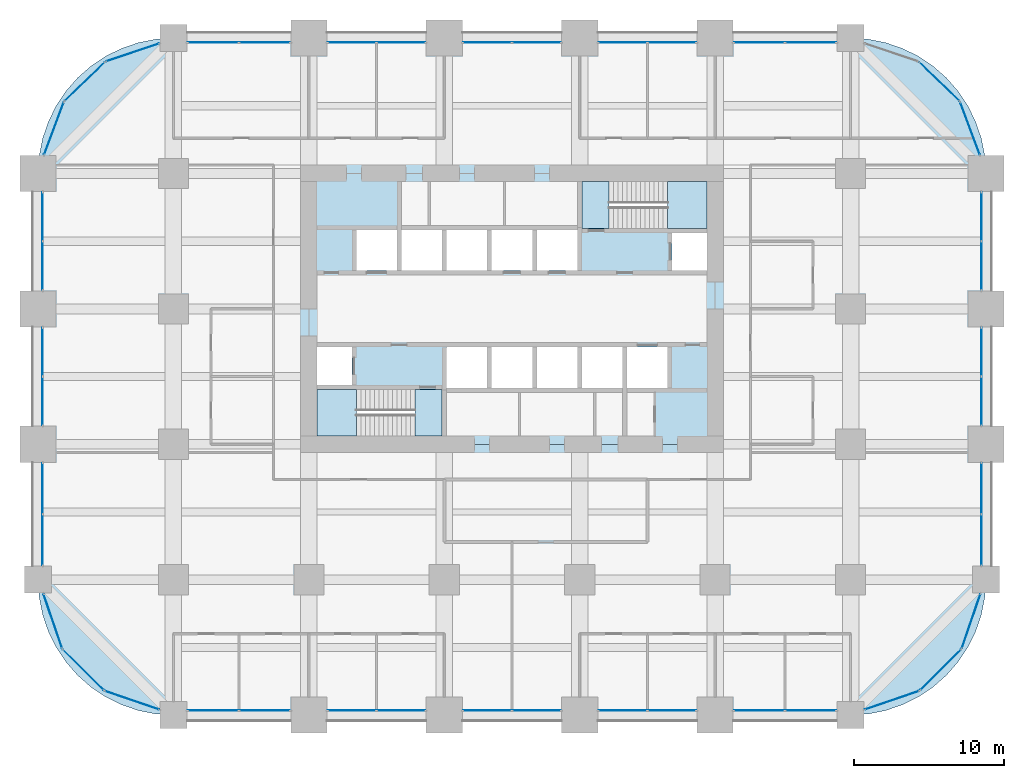
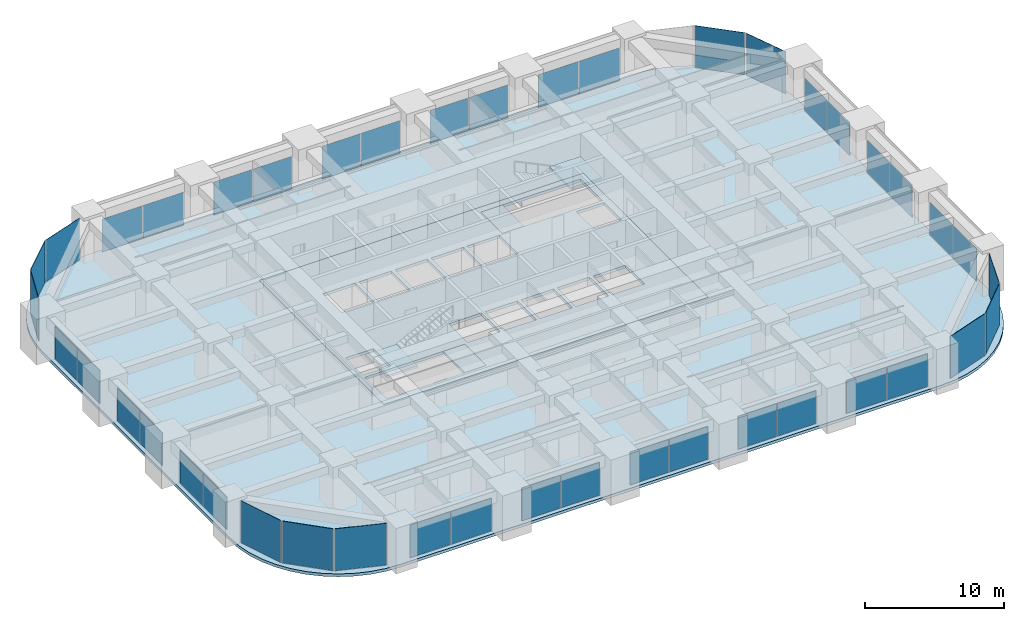
# One storey, part 35 of 41: 43 plates, 6 slabs, 29 elements without a shape of their own.
"""IFC4 building model written with IfcOpenShell, lengths in metres."""

from ifc_helpers import new_model, si_unit, direction, frame, origin, origin_2d, place, context, subcontext, project, spatial, polyline, rectangle, outline, extrude, material, layer, layer_set, type_object, element, aggregate, save


model = new_model("IFC4")

# Units and contexts
model_context = context("Model", 3, precision=1e-05, world=origin(), true_north=direction((0.0, 1.0)))
body_context = subcontext(model_context, "Body", "Model", "MODEL_VIEW")
ifc_project = project(units=[si_unit("LENGTHUNIT", "METRE"), si_unit("AREAUNIT", "SQUARE_METRE"), si_unit("VOLUMEUNIT", "CUBIC_METRE"), si_unit("PLANEANGLEUNIT", "RADIAN"), si_unit("MASSUNIT", "GRAM", prefix="KILO")], contexts=[model_context])

# Site, building, storey
site_placement = place(None, origin())
site = spatial("IfcSite", under=ifc_project, at=site_placement, CompositionType="ELEMENT")
building_placement = place(site_placement, origin())
building = spatial("IfcBuilding", under=site, at=building_placement, Name="Zorevar Civic Tower", CompositionType="ELEMENT")
storey_placement = place(building_placement, frame((0.0, 0.0, 105.0)))
storey = spatial("IfcBuildingStorey", under=building, at=storey_placement, Name="L25", CompositionType="ELEMENT", Elevation=105.0)

# Curtain wall, plates
ifc_material_1 = material(Name="Dark grey solar-control glass in black aluminium frame", Category="aluminium")
curtain_wall_type = type_object("IfcCurtainWallType", Name="Curtain wall CW3 mid zone", PredefinedType="NOTDEFINED", material=ifc_material_1)
curtain_wall_1_placement = place(storey_placement, origin())
curtain_wall_1 = element("IfcCurtainWall", 1, at=curtain_wall_1_placement, inside=storey, type_object=curtain_wall_type, Name="CW3 L25", PredefinedType="NOTDEFINED")
ifc_material_2 = material(Name="Dark grey solar-control glass", Category="glass")
ifc_layer_1 = layer(ifc_material_2, 0.030029296875)
ifc_layer_set_1 = layer_set([ifc_layer_1], Name="CW3 panel 30")
plate_type = type_object("IfcPlateType", Name="CW3 panel 30", PredefinedType="CURTAIN_PANEL", material=ifc_layer_set_1)
plate_1_placement = place(storey_placement, frame((11.639892578125, 0.300048828125, 0.06005859375), z_axis=(0.0, 0.0, 1.0), x_axis=(1.0, 0.0, 0.0)))
plate_1 = element("IfcPlate", 2, at=plate_1_placement, type_object=plate_type, Name="CW3 panel 1.1", PredefinedType="CURTAIN_PANEL", context=body_context, shape_type="SweptSolid", body=[
    extrude(rectangle(XDim=3.360107421875, YDim=0.030029296875, at=origin_2d()), origin(), (0.0, 0.0, 1.0), 2.889892578125),
])
plate_2_placement = place(storey_placement, frame((15.06005859375, 0.300048828125, 0.06005859375), z_axis=(0.0, 0.0, 1.0), x_axis=(1.0, 0.0, 0.0)))
plate_2 = element("IfcPlate", 3, at=plate_2_placement, type_object=plate_type, Name="CW3 panel 2.1", PredefinedType="CURTAIN_PANEL", context=body_context, shape_type="SweptSolid", body=[
    extrude(rectangle(XDim=3.360107421875, YDim=0.030029296875, at=origin_2d()), origin(), (0.0, 0.0, 1.0), 2.889892578125),
])
aggregate(curtain_wall_1, [plate_1, plate_2])

curtain_wall_2_placement = place(storey_placement, origin())
curtain_wall_2 = element("IfcCurtainWall", 4, at=curtain_wall_2_placement, inside=storey, type_object=curtain_wall_type, Name="CW3 L25", PredefinedType="NOTDEFINED")
plate_3_placement = place(storey_placement, frame((11.639892578125, 44.699951171875, 0.06005859375), z_axis=(0.0, 0.0, 1.0), x_axis=(1.0, 0.0, 0.0)))
plate_3 = element("IfcPlate", 5, at=plate_3_placement, type_object=plate_type, Name="CW3 panel 1.1", PredefinedType="CURTAIN_PANEL", context=body_context, shape_type="SweptSolid", body=[
    extrude(rectangle(XDim=3.360107421875, YDim=0.030029296875, at=origin_2d()), origin(), (0.0, 0.0, 1.0), 2.889892578125),
])
plate_4_placement = place(storey_placement, frame((15.06005859375, 44.699951171875, 0.06005859375), z_axis=(0.0, 0.0, 1.0), x_axis=(1.0, 0.0, 0.0)))
plate_4 = element("IfcPlate", 6, at=plate_4_placement, type_object=plate_type, Name="CW3 panel 2.1", PredefinedType="CURTAIN_PANEL", context=body_context, shape_type="SweptSolid", body=[
    extrude(rectangle(XDim=3.360107421875, YDim=0.030029296875, at=origin_2d()), origin(), (0.0, 0.0, 1.0), 2.889892578125),
])
aggregate(curtain_wall_2, [plate_3, plate_4])

curtain_wall_3_placement = place(storey_placement, origin())
curtain_wall_3 = element("IfcCurtainWall", 7, at=curtain_wall_3_placement, inside=storey, type_object=curtain_wall_type, Name="CW3 L25", PredefinedType="NOTDEFINED")
plate_5_placement = place(storey_placement, frame((20.864990234375, 0.300048828125, 0.06005859375), z_axis=(0.0, 0.0, 1.0), x_axis=(1.0, 0.0, 0.0)))
plate_5 = element("IfcPlate", 8, at=plate_5_placement, type_object=plate_type, Name="CW3 panel 1.1", PredefinedType="CURTAIN_PANEL", context=body_context, shape_type="SweptSolid", body=[
    extrude(rectangle(XDim=3.2099609375, YDim=0.030029296875, at=origin_2d()), origin(), (0.0, 0.0, 1.0), 2.889892578125),
])
plate_6_placement = place(storey_placement, frame((24.135009765625, 0.300048828125, 0.06005859375), z_axis=(0.0, 0.0, 1.0), x_axis=(1.0, 0.0, 0.0)))
plate_6 = element("IfcPlate", 9, at=plate_6_placement, type_object=plate_type, Name="CW3 panel 2.1", PredefinedType="CURTAIN_PANEL", context=body_context, shape_type="SweptSolid", body=[
    extrude(rectangle(XDim=3.2099609375, YDim=0.030029296875, at=origin_2d()), origin(), (0.0, 0.0, 1.0), 2.889892578125),
])
aggregate(curtain_wall_3, [plate_5, plate_6])

curtain_wall_4_placement = place(storey_placement, origin())
curtain_wall_4 = element("IfcCurtainWall", 10, at=curtain_wall_4_placement, inside=storey, type_object=curtain_wall_type, Name="CW3 L25", PredefinedType="NOTDEFINED")
plate_7_placement = place(storey_placement, frame((20.864990234375, 44.699951171875, 0.06005859375), z_axis=(0.0, 0.0, 1.0), x_axis=(1.0, 0.0, 0.0)))
plate_7 = element("IfcPlate", 11, at=plate_7_placement, type_object=plate_type, Name="CW3 panel 1.1", PredefinedType="CURTAIN_PANEL", context=body_context, shape_type="SweptSolid", body=[
    extrude(rectangle(XDim=3.2099609375, YDim=0.030029296875, at=origin_2d()), origin(), (0.0, 0.0, 1.0), 2.889892578125),
])
plate_8_placement = place(storey_placement, frame((24.135009765625, 44.699951171875, 0.06005859375), z_axis=(0.0, 0.0, 1.0), x_axis=(1.0, 0.0, 0.0)))
plate_8 = element("IfcPlate", 12, at=plate_8_placement, type_object=plate_type, Name="CW3 panel 2.1", PredefinedType="CURTAIN_PANEL", context=body_context, shape_type="SweptSolid", body=[
    extrude(rectangle(XDim=3.2099609375, YDim=0.030029296875, at=origin_2d()), origin(), (0.0, 0.0, 1.0), 2.889892578125),
])
aggregate(curtain_wall_4, [plate_7, plate_8])

curtain_wall_5_placement = place(storey_placement, origin())
curtain_wall_5 = element("IfcCurtainWall", 13, at=curtain_wall_5_placement, inside=storey, type_object=curtain_wall_type, Name="CW3 L25", PredefinedType="NOTDEFINED")
plate_9_placement = place(storey_placement, frame((29.864990234375, 0.300048828125, 0.06005859375), z_axis=(0.0, 0.0, 1.0), x_axis=(1.0, 0.0, 0.0)))
plate_9 = element("IfcPlate", 14, at=plate_9_placement, type_object=plate_type, Name="CW3 panel 1.1", PredefinedType="CURTAIN_PANEL", context=body_context, shape_type="SweptSolid", body=[
    extrude(rectangle(XDim=3.2099609375, YDim=0.030029296875, at=origin_2d()), origin(), (0.0, 0.0, 1.0), 2.889892578125),
])
plate_10_placement = place(storey_placement, frame((33.135009765625, 0.300048828125, 0.06005859375), z_axis=(0.0, 0.0, 1.0), x_axis=(1.0, 0.0, 0.0)))
plate_10 = element("IfcPlate", 15, at=plate_10_placement, type_object=plate_type, Name="CW3 panel 2.1", PredefinedType="CURTAIN_PANEL", context=body_context, shape_type="SweptSolid", body=[
    extrude(rectangle(XDim=3.2099609375, YDim=0.030029296875, at=origin_2d()), origin(), (0.0, 0.0, 1.0), 2.889892578125),
])
aggregate(curtain_wall_5, [plate_9, plate_10])

curtain_wall_6_placement = place(storey_placement, origin())
curtain_wall_6 = element("IfcCurtainWall", 16, at=curtain_wall_6_placement, inside=storey, type_object=curtain_wall_type, Name="CW3 L25", PredefinedType="NOTDEFINED")
plate_11_placement = place(storey_placement, frame((29.864990234375, 44.699951171875, 0.06005859375), z_axis=(0.0, 0.0, 1.0), x_axis=(1.0, 0.0, 0.0)))
plate_11 = element("IfcPlate", 17, at=plate_11_placement, type_object=plate_type, Name="CW3 panel 1.1", PredefinedType="CURTAIN_PANEL", context=body_context, shape_type="SweptSolid", body=[
    extrude(rectangle(XDim=3.2099609375, YDim=0.030029296875, at=origin_2d()), origin(), (0.0, 0.0, 1.0), 2.889892578125),
])
plate_12_placement = place(storey_placement, frame((33.135009765625, 44.699951171875, 0.06005859375), z_axis=(0.0, 0.0, 1.0), x_axis=(1.0, 0.0, 0.0)))
plate_12 = element("IfcPlate", 18, at=plate_12_placement, type_object=plate_type, Name="CW3 panel 2.1", PredefinedType="CURTAIN_PANEL", context=body_context, shape_type="SweptSolid", body=[
    extrude(rectangle(XDim=3.2099609375, YDim=0.030029296875, at=origin_2d()), origin(), (0.0, 0.0, 1.0), 2.889892578125),
])
aggregate(curtain_wall_6, [plate_11, plate_12])

curtain_wall_7_placement = place(storey_placement, origin())
curtain_wall_7 = element("IfcCurtainWall", 19, at=curtain_wall_7_placement, inside=storey, type_object=curtain_wall_type, Name="CW3 L25", PredefinedType="NOTDEFINED")
plate_13_placement = place(storey_placement, frame((38.864990234375, 0.300048828125, 0.06005859375), z_axis=(0.0, 0.0, 1.0), x_axis=(1.0, 0.0, 0.0)))
plate_13 = element("IfcPlate", 20, at=plate_13_placement, type_object=plate_type, Name="CW3 panel 1.1", PredefinedType="CURTAIN_PANEL", context=body_context, shape_type="SweptSolid", body=[
    extrude(rectangle(XDim=3.2099609375, YDim=0.030029296875, at=origin_2d()), origin(), (0.0, 0.0, 1.0), 2.889892578125),
])
plate_14_placement = place(storey_placement, frame((42.135009765625, 0.300048828125, 0.06005859375), z_axis=(0.0, 0.0, 1.0), x_axis=(1.0, 0.0, 0.0)))
plate_14 = element("IfcPlate", 21, at=plate_14_placement, type_object=plate_type, Name="CW3 panel 2.1", PredefinedType="CURTAIN_PANEL", context=body_context, shape_type="SweptSolid", body=[
    extrude(rectangle(XDim=3.2099609375, YDim=0.030029296875, at=origin_2d()), origin(), (0.0, 0.0, 1.0), 2.889892578125),
])
aggregate(curtain_wall_7, [plate_13, plate_14])

curtain_wall_8_placement = place(storey_placement, origin())
curtain_wall_8 = element("IfcCurtainWall", 22, at=curtain_wall_8_placement, inside=storey, type_object=curtain_wall_type, Name="CW3 L25", PredefinedType="NOTDEFINED")
plate_15_placement = place(storey_placement, frame((38.864990234375, 44.699951171875, 0.06005859375), z_axis=(0.0, 0.0, 1.0), x_axis=(1.0, 0.0, 0.0)))
plate_15 = element("IfcPlate", 23, at=plate_15_placement, type_object=plate_type, Name="CW3 panel 1.1", PredefinedType="CURTAIN_PANEL", context=body_context, shape_type="SweptSolid", body=[
    extrude(rectangle(XDim=3.2099609375, YDim=0.030029296875, at=origin_2d()), origin(), (0.0, 0.0, 1.0), 2.889892578125),
])
plate_16_placement = place(storey_placement, frame((42.135009765625, 44.699951171875, 0.06005859375), z_axis=(0.0, 0.0, 1.0), x_axis=(1.0, 0.0, 0.0)))
plate_16 = element("IfcPlate", 24, at=plate_16_placement, type_object=plate_type, Name="CW3 panel 2.1", PredefinedType="CURTAIN_PANEL", context=body_context, shape_type="SweptSolid", body=[
    extrude(rectangle(XDim=3.2099609375, YDim=0.030029296875, at=origin_2d()), origin(), (0.0, 0.0, 1.0), 2.889892578125),
])
aggregate(curtain_wall_8, [plate_15, plate_16])

curtain_wall_9_placement = place(storey_placement, origin())
curtain_wall_9 = element("IfcCurtainWall", 25, at=curtain_wall_9_placement, inside=storey, type_object=curtain_wall_type, Name="CW3 L25", PredefinedType="NOTDEFINED")
plate_17_placement = place(storey_placement, frame((47.93994140625, 0.300048828125, 0.06005859375), z_axis=(0.0, 0.0, 1.0), x_axis=(1.0, 0.0, 0.0)))
plate_17 = element("IfcPlate", 26, at=plate_17_placement, type_object=plate_type, Name="CW3 panel 1.1", PredefinedType="CURTAIN_PANEL", context=body_context, shape_type="SweptSolid", body=[
    extrude(rectangle(XDim=3.360107421875, YDim=0.030029296875, at=origin_2d()), origin(), (0.0, 0.0, 1.0), 2.889892578125),
])
plate_18_placement = place(storey_placement, frame((51.360107421875, 0.300048828125, 0.06005859375), z_axis=(0.0, 0.0, 1.0), x_axis=(1.0, 0.0, 0.0)))
plate_18 = element("IfcPlate", 27, at=plate_18_placement, type_object=plate_type, Name="CW3 panel 2.1", PredefinedType="CURTAIN_PANEL", context=body_context, shape_type="SweptSolid", body=[
    extrude(rectangle(XDim=3.360107421875, YDim=0.030029296875, at=origin_2d()), origin(), (0.0, 0.0, 1.0), 2.889892578125),
])
aggregate(curtain_wall_9, [plate_17, plate_18])

curtain_wall_10_placement = place(storey_placement, origin())
curtain_wall_10 = element("IfcCurtainWall", 28, at=curtain_wall_10_placement, inside=storey, type_object=curtain_wall_type, Name="CW3 L25", PredefinedType="NOTDEFINED")
plate_19_placement = place(storey_placement, frame((47.93994140625, 44.699951171875, 0.06005859375), z_axis=(0.0, 0.0, 1.0), x_axis=(1.0, 0.0, 0.0)))
plate_19 = element("IfcPlate", 29, at=plate_19_placement, type_object=plate_type, Name="CW3 panel 1.1", PredefinedType="CURTAIN_PANEL", context=body_context, shape_type="SweptSolid", body=[
    extrude(rectangle(XDim=3.360107421875, YDim=0.030029296875, at=origin_2d()), origin(), (0.0, 0.0, 1.0), 2.889892578125),
])
plate_20_placement = place(storey_placement, frame((51.360107421875, 44.699951171875, 0.06005859375), z_axis=(0.0, 0.0, 1.0), x_axis=(1.0, 0.0, 0.0)))
plate_20 = element("IfcPlate", 30, at=plate_20_placement, type_object=plate_type, Name="CW3 panel 2.1", PredefinedType="CURTAIN_PANEL", context=body_context, shape_type="SweptSolid", body=[
    extrude(rectangle(XDim=3.360107421875, YDim=0.030029296875, at=origin_2d()), origin(), (0.0, 0.0, 1.0), 2.889892578125),
])
aggregate(curtain_wall_10, [plate_19, plate_20])

curtain_wall_11_placement = place(storey_placement, origin())
curtain_wall_11 = element("IfcCurtainWall", 31, at=curtain_wall_11_placement, inside=storey, type_object=curtain_wall_type, Name="CW3 L25", PredefinedType="NOTDEFINED")
plate_21_placement = place(storey_placement, frame((0.300048828125, 11.639892578125, 0.06005859375), z_axis=(0.0, 0.0, 1.0), x_axis=(0.0, 1.0, 0.0)))
plate_21 = element("IfcPlate", 32, at=plate_21_placement, type_object=plate_type, Name="CW3 panel 1.1", PredefinedType="CURTAIN_PANEL", context=body_context, shape_type="SweptSolid", body=[
    extrude(rectangle(XDim=3.360107421875, YDim=0.030029296875, at=origin_2d()), origin(), (0.0, 0.0, 1.0), 2.889892578125),
])
plate_22_placement = place(storey_placement, frame((0.300048828125, 15.06005859375, 0.06005859375), z_axis=(0.0, 0.0, 1.0), x_axis=(0.0, 1.0, 0.0)))
plate_22 = element("IfcPlate", 33, at=plate_22_placement, type_object=plate_type, Name="CW3 panel 2.1", PredefinedType="CURTAIN_PANEL", context=body_context, shape_type="SweptSolid", body=[
    extrude(rectangle(XDim=3.360107421875, YDim=0.030029296875, at=origin_2d()), origin(), (0.0, 0.0, 1.0), 2.889892578125),
])
aggregate(curtain_wall_11, [plate_21, plate_22])

curtain_wall_12_placement = place(storey_placement, origin())
curtain_wall_12 = element("IfcCurtainWall", 34, at=curtain_wall_12_placement, inside=storey, type_object=curtain_wall_type, Name="CW3 L25", PredefinedType="NOTDEFINED")
plate_23_placement = place(storey_placement, frame((62.699951171875, 11.639892578125, 0.06005859375), z_axis=(0.0, 0.0, 1.0), x_axis=(0.0, 1.0, 0.0)))
plate_23 = element("IfcPlate", 35, at=plate_23_placement, type_object=plate_type, Name="CW3 panel 1.1", PredefinedType="CURTAIN_PANEL", context=body_context, shape_type="SweptSolid", body=[
    extrude(rectangle(XDim=3.360107421875, YDim=0.030029296875, at=origin_2d()), origin(), (0.0, 0.0, 1.0), 2.889892578125),
])
plate_24_placement = place(storey_placement, frame((62.699951171875, 15.06005859375, 0.06005859375), z_axis=(0.0, 0.0, 1.0), x_axis=(0.0, 1.0, 0.0)))
plate_24 = element("IfcPlate", 36, at=plate_24_placement, type_object=plate_type, Name="CW3 panel 2.1", PredefinedType="CURTAIN_PANEL", context=body_context, shape_type="SweptSolid", body=[
    extrude(rectangle(XDim=3.360107421875, YDim=0.030029296875, at=origin_2d()), origin(), (0.0, 0.0, 1.0), 2.889892578125),
])
aggregate(curtain_wall_12, [plate_23, plate_24])

curtain_wall_13_placement = place(storey_placement, origin())
curtain_wall_13 = element("IfcCurtainWall", 37, at=curtain_wall_13_placement, inside=storey, type_object=curtain_wall_type, Name="CW3 L25", PredefinedType="NOTDEFINED")
plate_25_placement = place(storey_placement, frame((0.300048828125, 20.864990234375, 0.06005859375), z_axis=(0.0, 0.0, 1.0), x_axis=(0.0, 1.0, 0.0)))
plate_25 = element("IfcPlate", 38, at=plate_25_placement, type_object=plate_type, Name="CW3 panel 1.1", PredefinedType="CURTAIN_PANEL", context=body_context, shape_type="SweptSolid", body=[
    extrude(rectangle(XDim=3.2099609375, YDim=0.030029296875, at=origin_2d()), origin(), (0.0, 0.0, 1.0), 2.889892578125),
])
plate_26_placement = place(storey_placement, frame((0.300048828125, 24.135009765625, 0.06005859375), z_axis=(0.0, 0.0, 1.0), x_axis=(0.0, 1.0, 0.0)))
plate_26 = element("IfcPlate", 39, at=plate_26_placement, type_object=plate_type, Name="CW3 panel 2.1", PredefinedType="CURTAIN_PANEL", context=body_context, shape_type="SweptSolid", body=[
    extrude(rectangle(XDim=3.2099609375, YDim=0.030029296875, at=origin_2d()), origin(), (0.0, 0.0, 1.0), 2.889892578125),
])
aggregate(curtain_wall_13, [plate_25, plate_26])

curtain_wall_14_placement = place(storey_placement, origin())
curtain_wall_14 = element("IfcCurtainWall", 40, at=curtain_wall_14_placement, inside=storey, type_object=curtain_wall_type, Name="CW3 L25", PredefinedType="NOTDEFINED")
plate_27_placement = place(storey_placement, frame((62.699951171875, 20.864990234375, 0.06005859375), z_axis=(0.0, 0.0, 1.0), x_axis=(0.0, 1.0, 0.0)))
plate_27 = element("IfcPlate", 41, at=plate_27_placement, type_object=plate_type, Name="CW3 panel 1.1", PredefinedType="CURTAIN_PANEL", context=body_context, shape_type="SweptSolid", body=[
    extrude(rectangle(XDim=3.2099609375, YDim=0.030029296875, at=origin_2d()), origin(), (0.0, 0.0, 1.0), 2.889892578125),
])
plate_28_placement = place(storey_placement, frame((62.699951171875, 24.135009765625, 0.06005859375), z_axis=(0.0, 0.0, 1.0), x_axis=(0.0, 1.0, 0.0)))
plate_28 = element("IfcPlate", 42, at=plate_28_placement, type_object=plate_type, Name="CW3 panel 2.1", PredefinedType="CURTAIN_PANEL", context=body_context, shape_type="SweptSolid", body=[
    extrude(rectangle(XDim=3.2099609375, YDim=0.030029296875, at=origin_2d()), origin(), (0.0, 0.0, 1.0), 2.889892578125),
])
aggregate(curtain_wall_14, [plate_27, plate_28])

curtain_wall_15_placement = place(storey_placement, origin())
curtain_wall_15 = element("IfcCurtainWall", 43, at=curtain_wall_15_placement, inside=storey, type_object=curtain_wall_type, Name="CW3 L25", PredefinedType="NOTDEFINED")
plate_29_placement = place(storey_placement, frame((0.300048828125, 29.864990234375, 0.06005859375), z_axis=(0.0, 0.0, 1.0), x_axis=(0.0, 1.0, 0.0)))
plate_29 = element("IfcPlate", 44, at=plate_29_placement, type_object=plate_type, Name="CW3 panel 1.1", PredefinedType="CURTAIN_PANEL", context=body_context, shape_type="SweptSolid", body=[
    extrude(rectangle(XDim=3.2099609375, YDim=0.030029296875, at=origin_2d()), origin(), (0.0, 0.0, 1.0), 2.889892578125),
])
plate_30_placement = place(storey_placement, frame((0.300048828125, 33.135009765625, 0.06005859375), z_axis=(0.0, 0.0, 1.0), x_axis=(0.0, 1.0, 0.0)))
plate_30 = element("IfcPlate", 45, at=plate_30_placement, type_object=plate_type, Name="CW3 panel 2.1", PredefinedType="CURTAIN_PANEL", context=body_context, shape_type="SweptSolid", body=[
    extrude(rectangle(XDim=3.2099609375, YDim=0.030029296875, at=origin_2d()), origin(), (0.0, 0.0, 1.0), 2.889892578125),
])
aggregate(curtain_wall_15, [plate_29, plate_30])

curtain_wall_16_placement = place(storey_placement, origin())
curtain_wall_16 = element("IfcCurtainWall", 46, at=curtain_wall_16_placement, inside=storey, type_object=curtain_wall_type, Name="CW3 L25", PredefinedType="NOTDEFINED")
plate_31_placement = place(storey_placement, frame((62.699951171875, 29.864990234375, 0.06005859375), z_axis=(0.0, 0.0, 1.0), x_axis=(0.0, 1.0, 0.0)))
plate_31 = element("IfcPlate", 47, at=plate_31_placement, type_object=plate_type, Name="CW3 panel 1.1", PredefinedType="CURTAIN_PANEL", context=body_context, shape_type="SweptSolid", body=[
    extrude(rectangle(XDim=3.2099609375, YDim=0.030029296875, at=origin_2d()), origin(), (0.0, 0.0, 1.0), 2.889892578125),
])
plate_32_placement = place(storey_placement, frame((62.699951171875, 33.135009765625, 0.06005859375), z_axis=(0.0, 0.0, 1.0), x_axis=(0.0, 1.0, 0.0)))
plate_32 = element("IfcPlate", 48, at=plate_32_placement, type_object=plate_type, Name="CW3 panel 2.1", PredefinedType="CURTAIN_PANEL", context=body_context, shape_type="SweptSolid", body=[
    extrude(rectangle(XDim=3.2099609375, YDim=0.030029296875, at=origin_2d()), origin(), (0.0, 0.0, 1.0), 2.889892578125),
])
aggregate(curtain_wall_16, [plate_31, plate_32])

# Curtain wall, plate
curtain_wall_17_placement = place(storey_placement, origin())
curtain_wall_17 = element("IfcCurtainWall", 49, at=curtain_wall_17_placement, inside=storey, type_object=curtain_wall_type, Name="CW3 L25", PredefinedType="NOTDEFINED")
plate_33_placement = place(storey_placement, frame((56.75390625, 0.9833984375, 0.06005859375), z_axis=(0.0, 0.0, 1.0), x_axis=(0.945755772794, 0.324878466857, 0.0)))
plate_33 = element("IfcPlate", 50, at=plate_33_placement, type_object=plate_type, Name="CW3 panel 1.1", PredefinedType="CURTAIN_PANEL", context=body_context, shape_type="SweptSolid", body=[
    extrude(rectangle(XDim=3.80029296875, YDim=0.030029296875, at=origin_2d()), origin(), (0.0, 0.0, 1.0), 3.68994140625),
])
aggregate(curtain_wall_17, [plate_33])

curtain_wall_18_placement = place(storey_placement, origin())
curtain_wall_18 = element("IfcCurtainWall", 51, at=curtain_wall_18_placement, inside=storey, type_object=curtain_wall_type, Name="CW3 L25", PredefinedType="NOTDEFINED")
plate_34_placement = place(storey_placement, frame((59.99365234375, 3.00634765625, 0.06005859375), z_axis=(0.0, 0.0, 1.0), x_axis=(0.707106781187, 0.707106781187, 0.0)))
plate_34 = element("IfcPlate", 52, at=plate_34_placement, type_object=plate_type, Name="CW3 panel 1.1", PredefinedType="CURTAIN_PANEL", context=body_context, shape_type="SweptSolid", body=[
    extrude(rectangle(XDim=3.80029296875, YDim=0.030029296875, at=origin_2d()), origin(), (0.0, 0.0, 1.0), 3.68994140625),
])
aggregate(curtain_wall_18, [plate_34])

curtain_wall_19_placement = place(storey_placement, origin())
curtain_wall_19 = element("IfcCurtainWall", 53, at=curtain_wall_19_placement, inside=storey, type_object=curtain_wall_type, Name="CW3 L25", PredefinedType="NOTDEFINED")
plate_35_placement = place(storey_placement, frame((62.0166015625, 6.24609375, 0.06005859375), z_axis=(0.0, 0.0, 1.0), x_axis=(0.324878466857, 0.945755772794, 0.0)))
plate_35 = element("IfcPlate", 54, at=plate_35_placement, type_object=plate_type, Name="CW3 panel 1.1", PredefinedType="CURTAIN_PANEL", context=body_context, shape_type="SweptSolid", body=[
    extrude(rectangle(XDim=3.80029296875, YDim=0.030029296875, at=origin_2d()), origin(), (0.0, 0.0, 1.0), 3.68994140625),
])
aggregate(curtain_wall_19, [plate_35])

curtain_wall_20_placement = place(storey_placement, origin())
curtain_wall_20 = element("IfcCurtainWall", 55, at=curtain_wall_20_placement, inside=storey, type_object=curtain_wall_type, Name="CW3 L25", PredefinedType="NOTDEFINED")
plate_36_placement = place(storey_placement, frame((61.94384765625, 38.988525390625, 0.06005859375), z_axis=(0.0, 0.0, 1.0), x_axis=(-0.352131520999, 0.935950528564, 0.0)))
plate_36 = element("IfcPlate", 56, at=plate_36_placement, type_object=plate_type, Name="CW3 panel 1.1", PredefinedType="CURTAIN_PANEL", context=body_context, shape_type="SweptSolid", body=[
    extrude(rectangle(XDim=3.7021484375, YDim=0.030029296875, at=origin_2d()), origin(), (0.0, 0.0, 1.0), 3.68994140625),
])
aggregate(curtain_wall_20, [plate_36])

curtain_wall_21_placement = place(storey_placement, origin())
curtain_wall_21 = element("IfcCurtainWall", 57, at=curtain_wall_21_placement, inside=storey, type_object=curtain_wall_type, Name="CW3 L25", PredefinedType="NOTDEFINED")
plate_37_placement = place(storey_placement, frame((59.896484375, 42.10498046875, 0.06005859375), z_axis=(0.0, 0.0, 1.0), x_axis=(-0.719281160023, 0.694719089155, 0.0)))
plate_37 = element("IfcPlate", 58, at=plate_37_placement, type_object=plate_type, Name="CW3 panel 1.1", PredefinedType="CURTAIN_PANEL", context=body_context, shape_type="SweptSolid", body=[
    extrude(rectangle(XDim=3.7021484375, YDim=0.030029296875, at=origin_2d()), origin(), (0.0, 0.0, 1.0), 3.68994140625),
])
aggregate(curtain_wall_21, [plate_37])

curtain_wall_22_placement = place(storey_placement, origin())
curtain_wall_22 = element("IfcCurtainWall", 59, at=curtain_wall_22_placement, inside=storey, type_object=curtain_wall_type, Name="CW3 L25", PredefinedType="NOTDEFINED")
plate_38_placement = place(storey_placement, frame((6.2890625, 44.04296875, 0.06005859375), z_axis=(0.0, 0.0, 1.0), x_axis=(-0.947615765406, -0.319412525043, 0.0)))
plate_38 = element("IfcPlate", 60, at=plate_38_placement, type_object=plate_type, Name="CW3 panel 1.1", PredefinedType="CURTAIN_PANEL", context=body_context, shape_type="SweptSolid", body=[
    extrude(rectangle(XDim=3.7021484375, YDim=0.030029296875, at=origin_2d()), origin(), (0.0, 0.0, 1.0), 3.68994140625),
])
aggregate(curtain_wall_22, [plate_38])

curtain_wall_23_placement = place(storey_placement, origin())
curtain_wall_23 = element("IfcCurtainWall", 61, at=curtain_wall_23_placement, inside=storey, type_object=curtain_wall_type, Name="CW3 L25", PredefinedType="NOTDEFINED")
plate_39_placement = place(storey_placement, frame((3.103515625, 42.10498046875, 0.06005859375), z_axis=(0.0, 0.0, 1.0), x_axis=(-0.719281160023, -0.694719089155, 0.0)))
plate_39 = element("IfcPlate", 62, at=plate_39_placement, type_object=plate_type, Name="CW3 panel 1.1", PredefinedType="CURTAIN_PANEL", context=body_context, shape_type="SweptSolid", body=[
    extrude(rectangle(XDim=3.7021484375, YDim=0.030029296875, at=origin_2d()), origin(), (0.0, 0.0, 1.0), 3.68994140625),
])
aggregate(curtain_wall_23, [plate_39])

curtain_wall_24_placement = place(storey_placement, origin())
curtain_wall_24 = element("IfcCurtainWall", 63, at=curtain_wall_24_placement, inside=storey, type_object=curtain_wall_type, Name="CW3 L25", PredefinedType="NOTDEFINED")
plate_40_placement = place(storey_placement, frame((1.05615234375, 38.988525390625, 0.06005859375), z_axis=(0.0, 0.0, 1.0), x_axis=(-0.352131520999, -0.935950528564, 0.0)))
plate_40 = element("IfcPlate", 64, at=plate_40_placement, type_object=plate_type, Name="CW3 panel 1.1", PredefinedType="CURTAIN_PANEL", context=body_context, shape_type="SweptSolid", body=[
    extrude(rectangle(XDim=3.7021484375, YDim=0.030029296875, at=origin_2d()), origin(), (0.0, 0.0, 1.0), 3.68994140625),
])
aggregate(curtain_wall_24, [plate_40])

curtain_wall_25_placement = place(storey_placement, origin())
curtain_wall_25 = element("IfcCurtainWall", 65, at=curtain_wall_25_placement, inside=storey, type_object=curtain_wall_type, Name="CW3 L25", PredefinedType="NOTDEFINED")
plate_41_placement = place(storey_placement, frame((0.9833984375, 6.24609375, 0.06005859375), z_axis=(0.0, 0.0, 1.0), x_axis=(0.324878466857, -0.945755772794, 0.0)))
plate_41 = element("IfcPlate", 66, at=plate_41_placement, type_object=plate_type, Name="CW3 panel 1.1", PredefinedType="CURTAIN_PANEL", context=body_context, shape_type="SweptSolid", body=[
    extrude(rectangle(XDim=3.80029296875, YDim=0.030029296875, at=origin_2d()), origin(), (0.0, 0.0, 1.0), 3.68994140625),
])
aggregate(curtain_wall_25, [plate_41])

curtain_wall_26_placement = place(storey_placement, origin())
curtain_wall_26 = element("IfcCurtainWall", 67, at=curtain_wall_26_placement, inside=storey, type_object=curtain_wall_type, Name="CW3 L25", PredefinedType="NOTDEFINED")
plate_42_placement = place(storey_placement, frame((3.00634765625, 3.00634765625, 0.06005859375), z_axis=(0.0, 0.0, 1.0), x_axis=(0.707106781187, -0.707106781187, 0.0)))
plate_42 = element("IfcPlate", 68, at=plate_42_placement, type_object=plate_type, Name="CW3 panel 1.1", PredefinedType="CURTAIN_PANEL", context=body_context, shape_type="SweptSolid", body=[
    extrude(rectangle(XDim=3.80029296875, YDim=0.030029296875, at=origin_2d()), origin(), (0.0, 0.0, 1.0), 3.68994140625),
])
aggregate(curtain_wall_26, [plate_42])

curtain_wall_27_placement = place(storey_placement, origin())
curtain_wall_27 = element("IfcCurtainWall", 69, at=curtain_wall_27_placement, inside=storey, type_object=curtain_wall_type, Name="CW3 L25", PredefinedType="NOTDEFINED")
plate_43_placement = place(storey_placement, frame((6.24609375, 0.9833984375, 0.06005859375), z_axis=(0.0, 0.0, 1.0), x_axis=(0.945755772794, -0.324878466857, 0.0)))
plate_43 = element("IfcPlate", 70, at=plate_43_placement, type_object=plate_type, Name="CW3 panel 1.1", PredefinedType="CURTAIN_PANEL", context=body_context, shape_type="SweptSolid", body=[
    extrude(rectangle(XDim=3.80029296875, YDim=0.030029296875, at=origin_2d()), origin(), (0.0, 0.0, 1.0), 3.68994140625),
])
aggregate(curtain_wall_27, [plate_43])

# Slabs
ifc_material_3 = material(Name="Concrete C40/50", Category="concrete")
ifc_layer_2 = layer(ifc_material_3, 0.25)
ifc_layer_set_2 = layer_set([ifc_layer_2], Name="Floor slab 250")
slab_type_1 = type_object("IfcSlabType", Name="Floor slab 250", PredefinedType="FLOOR", material=ifc_layer_set_2)
slab_1_placement = place(storey_placement, frame((0.0, 0.0, -0.25)))
element("IfcSlab", 71, at=slab_1_placement, inside=storey, type_object=slab_type_1, Name="Floor slab L25", PredefinedType="FLOOR", context=body_context, shape_type="SweptSolid", body=[
    extrude(outline(polyline([(54.0, 0.0), (55.1748046875, 0.076904296875), (56.329345703125, 0.306640625), (57.444091796875, 0.68505859375), (58.5, 1.205810546875), (59.478759765625, 1.85986328125), (60.364013671875, 2.635986328125), (61.14013671875, 3.521240234375), (61.794189453125, 4.5), (62.31494140625, 5.555908203125), (62.693359375, 6.670654296875), (62.923095703125, 7.8251953125), (63.0, 9.0), (63.0, 36.0), (62.923095703125, 37.1748046875), (62.693359375, 38.329345703125), (62.31494140625, 39.444091796875), (61.794189453125, 40.5), (61.14013671875, 41.478759765625), (60.364013671875, 42.364013671875), (59.478759765625, 43.14013671875), (58.5, 43.794189453125), (57.444091796875, 44.31494140625), (56.329345703125, 44.693359375), (55.1748046875, 44.923095703125), (54.0, 45.0), (9.0, 45.0), (7.8251953125, 44.923095703125), (6.670654296875, 44.693359375), (5.555908203125, 44.31494140625), (4.5, 43.794189453125), (3.521240234375, 43.14013671875), (2.635986328125, 42.364013671875), (1.85986328125, 41.478759765625), (1.205810546875, 40.5), (0.68505859375, 39.444091796875), (0.306640625, 38.329345703125), (0.076904296875, 37.1748046875), (0.0, 36.0), (0.0, 9.0), (0.076904296875, 7.8251953125), (0.306640625, 6.670654296875), (0.68505859375, 5.555908203125), (1.205810546875, 4.5), (1.85986328125, 3.521240234375), (2.635986328125, 2.635986328125), (3.521240234375, 1.85986328125), (4.5, 1.205810546875), (5.555908203125, 0.68505859375), (6.670654296875, 0.306640625), (7.8251953125, 0.076904296875), (9.0, 0.0), (54.0, 0.0)]), holes=[polyline([(18.0, 18.0), (45.0, 18.0), (45.0, 36.0), (18.0, 36.0), (18.0, 18.0)])]), origin(), (0.0, 0.0, 1.0), 0.25),
])
slab_2_placement = place(storey_placement, frame((0.0, 0.0, -0.25)))
element("IfcSlab", 72, at=slab_2_placement, inside=storey, type_object=slab_type_1, Name="Core floor L25", PredefinedType="FLOOR", context=body_context, shape_type="SweptSolid", body=[
    extrude(outline(polyline([(18.0, 18.0), (45.0, 18.0), (45.0, 36.0), (18.0, 36.0), (18.0, 18.0)]), holes=[polyline([(18.550048828125, 18.550048828125), (26.85009765625, 18.550048828125), (26.85009765625, 21.64990234375), (18.550048828125, 21.64990234375), (18.550048828125, 18.550048828125)]), polyline([(36.14990234375, 32.35009765625), (44.449951171875, 32.35009765625), (44.449951171875, 35.449951171875), (36.14990234375, 35.449951171875), (36.14990234375, 32.35009765625)]), polyline([(18.550048828125, 21.949951171875), (20.85009765625, 21.949951171875), (20.85009765625, 24.449951171875), (18.550048828125, 24.449951171875), (18.550048828125, 21.949951171875)]), polyline([(42.14990234375, 29.550048828125), (44.449951171875, 29.550048828125), (44.449951171875, 32.050048828125), (42.14990234375, 32.050048828125), (42.14990234375, 29.550048828125)]), polyline([(27.14990234375, 21.75), (29.85009765625, 21.75), (29.85009765625, 24.449951171875), (27.14990234375, 24.449951171875), (27.14990234375, 21.75)]), polyline([(33.14990234375, 29.550048828125), (35.85009765625, 29.550048828125), (35.85009765625, 32.25), (33.14990234375, 32.25), (33.14990234375, 29.550048828125)]), polyline([(30.14990234375, 21.75), (32.85009765625, 21.75), (32.85009765625, 24.449951171875), (30.14990234375, 24.449951171875), (30.14990234375, 21.75)]), polyline([(30.14990234375, 29.550048828125), (32.85009765625, 29.550048828125), (32.85009765625, 32.25), (30.14990234375, 32.25), (30.14990234375, 29.550048828125)]), polyline([(33.14990234375, 21.75), (35.85009765625, 21.75), (35.85009765625, 24.449951171875), (33.14990234375, 24.449951171875), (33.14990234375, 21.75)]), polyline([(27.14990234375, 29.550048828125), (29.85009765625, 29.550048828125), (29.85009765625, 32.25), (27.14990234375, 32.25), (27.14990234375, 29.550048828125)]), polyline([(36.14990234375, 21.75), (38.85009765625, 21.75), (38.85009765625, 24.449951171875), (36.14990234375, 24.449951171875), (36.14990234375, 21.75)]), polyline([(24.14990234375, 29.550048828125), (26.85009765625, 29.550048828125), (26.85009765625, 32.25), (24.14990234375, 32.25), (24.14990234375, 29.550048828125)]), polyline([(39.14990234375, 21.75), (41.85009765625, 21.75), (41.85009765625, 24.449951171875), (39.14990234375, 24.449951171875), (39.14990234375, 21.75)]), polyline([(21.14990234375, 29.550048828125), (23.85009765625, 29.550048828125), (23.85009765625, 32.25), (21.14990234375, 32.25), (21.14990234375, 29.550048828125)])]), origin(), (0.0, 0.0, 1.0), 0.25),
])

# Stair, slabs
ifc_material_4 = material(Name="Precast concrete C40/50", Category="concrete")
stair_type = type_object("IfcStairType", Name="Stair ST 28R", PredefinedType="HALF_TURN_STAIR", material=ifc_material_4)
stair_1_placement = place(storey_placement, origin())
stair_1 = element("IfcStair", 73, at=stair_1_placement, inside=storey, type_object=stair_type, Name="Stair ST1 L25", PredefinedType="HALF_TURN_STAIR")
ifc_material_5 = material(Name="Concrete C40/50", Category="concrete")
ifc_layer_3 = layer(ifc_material_5, 0.199951171875)
ifc_layer_set_3 = layer_set([ifc_layer_3], Name="Stair landing 200")
slab_type_2 = type_object("IfcSlabType", Name="Stair landing 200", PredefinedType="LANDING", material=ifc_layer_set_3)
slab_3_placement = place(storey_placement, frame((0.0, 0.0, -0.199951171875)))
slab_3 = element("IfcSlab", 74, at=slab_3_placement, type_object=slab_type_2, Name="ST1 landing 1", PredefinedType="LANDING", context=body_context, shape_type="SweptSolid", body=[
    extrude(outline(polyline([(25.050048828125, 18.550048828125), (26.85009765625, 18.550048828125), (26.85009765625, 21.64990234375), (25.050048828125, 21.64990234375), (25.050048828125, 18.550048828125)])), origin(), (0.0, 0.0, 1.0), 0.199951171875),
])
slab_4_placement = place(storey_placement, frame((0.0, 0.0, 1.800048828125)))
slab_4 = element("IfcSlab", 75, at=slab_4_placement, type_object=slab_type_2, Name="ST1 landing 2", PredefinedType="LANDING", context=body_context, shape_type="SweptSolid", body=[
    extrude(outline(polyline([(18.550048828125, 18.550048828125), (21.14990234375, 18.550048828125), (21.14990234375, 21.64990234375), (18.550048828125, 21.64990234375), (18.550048828125, 18.550048828125)])), origin(), (0.0, 0.0, 1.0), 0.199951171875),
])
aggregate(stair_1, [slab_3, slab_4])

stair_2_placement = place(storey_placement, origin())
stair_2 = element("IfcStair", 76, at=stair_2_placement, inside=storey, type_object=stair_type, Name="Stair ST2 L25", PredefinedType="HALF_TURN_STAIR")
slab_5_placement = place(storey_placement, frame((0.0, 0.0, -0.199951171875)))
slab_5 = element("IfcSlab", 77, at=slab_5_placement, type_object=slab_type_2, Name="ST2 landing 1", PredefinedType="LANDING", context=body_context, shape_type="SweptSolid", body=[
    extrude(outline(polyline([(37.949951171875, 32.35009765625), (36.14990234375, 32.35009765625), (36.14990234375, 35.449951171875), (37.949951171875, 35.449951171875), (37.949951171875, 32.35009765625)])), origin(), (0.0, 0.0, 1.0), 0.199951171875),
])
slab_6_placement = place(storey_placement, frame((0.0, 0.0, 1.800048828125)))
slab_6 = element("IfcSlab", 78, at=slab_6_placement, type_object=slab_type_2, Name="ST2 landing 2", PredefinedType="LANDING", context=body_context, shape_type="SweptSolid", body=[
    extrude(outline(polyline([(44.449951171875, 32.35009765625), (41.85009765625, 32.35009765625), (41.85009765625, 35.449951171875), (44.449951171875, 35.449951171875), (44.449951171875, 32.35009765625)])), origin(), (0.0, 0.0, 1.0), 0.199951171875),
])
aggregate(stair_2, [slab_5, slab_6])

save(model, "model.ifc")
